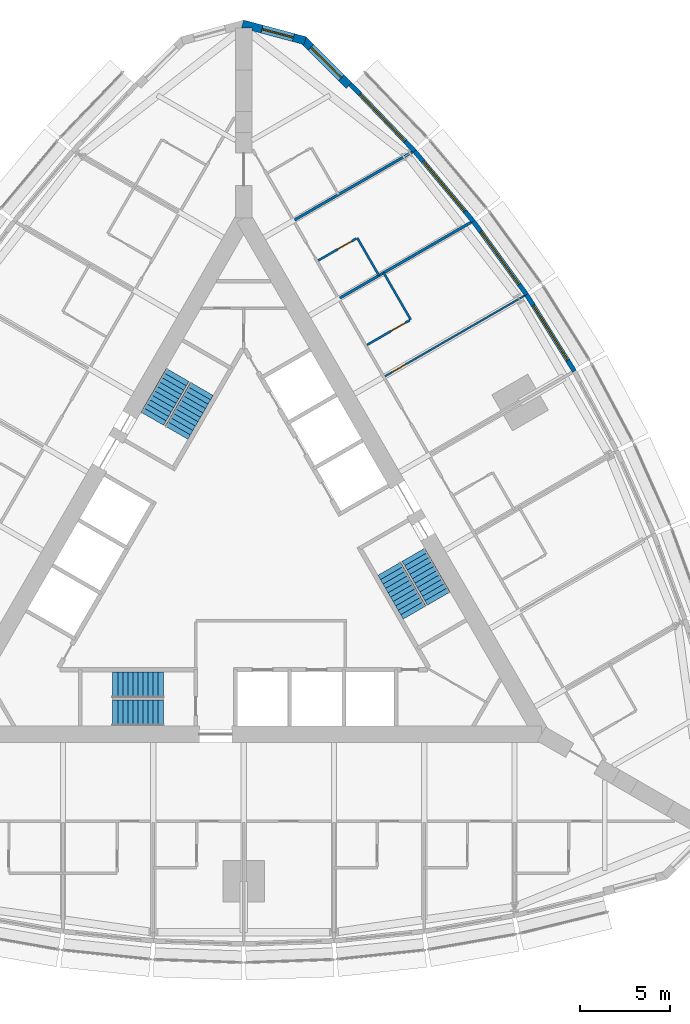
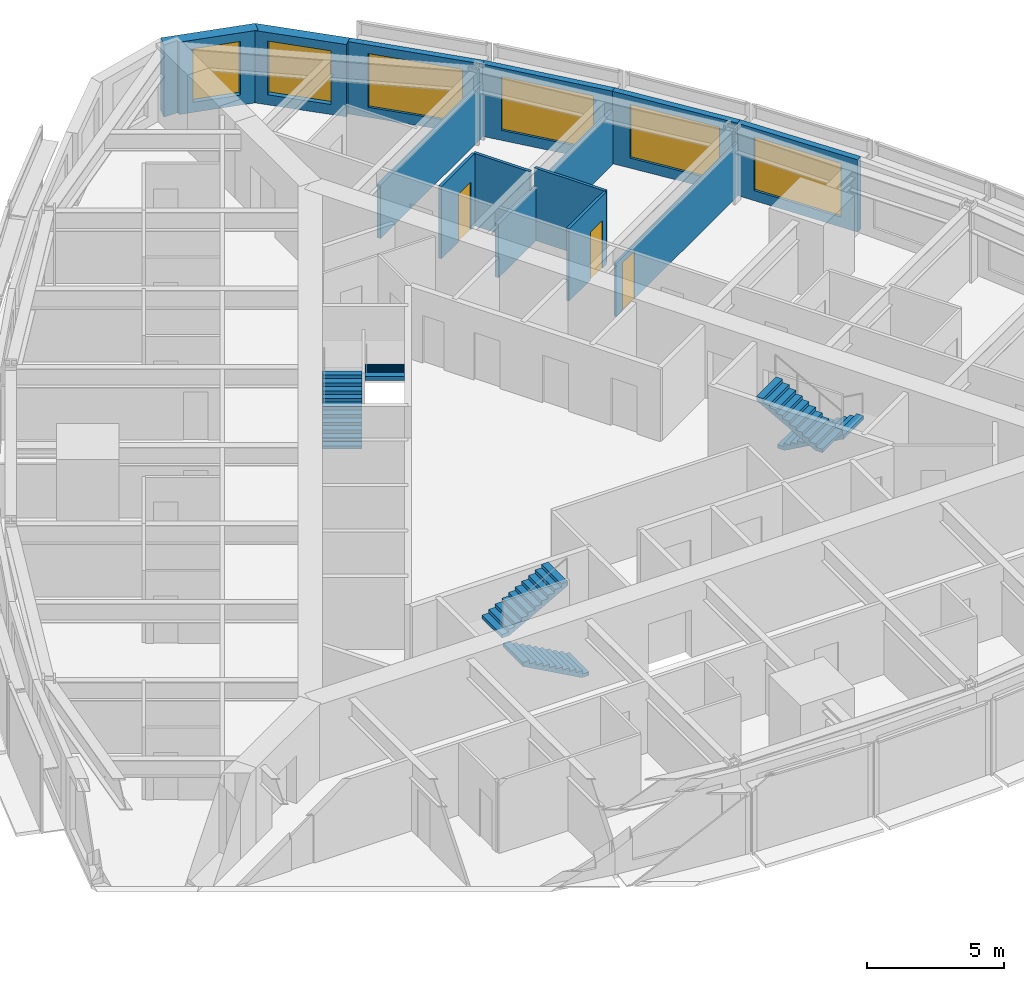
# One storey, part 13 of 14: 13 walls, 6 stair flights, 6 windows, 3 doors, 9 openings, 3 elements without a shape of their own.
"""IFC4 building model written with IfcOpenShell, lengths in metres."""

from ifc_helpers import new_model, si_unit, direction, frame, frame_2d, origin, place, context, subcontext, project, spatial, polyline, rectangle, outline, extrude, material, layer, layer_set, type_object, element, fill, aggregate, save


model = new_model("IFC4")

# Units and contexts
model_context = context("Model", 3, precision=1e-05, world=origin(), true_north=direction((0.0, 1.0)))
body_context = subcontext(model_context, "Body", "Model", "MODEL_VIEW")
ifc_project = project(units=[si_unit("LENGTHUNIT", "METRE"), si_unit("AREAUNIT", "SQUARE_METRE"), si_unit("VOLUMEUNIT", "CUBIC_METRE"), si_unit("PLANEANGLEUNIT", "RADIAN"), si_unit("MASSUNIT", "GRAM", prefix="KILO")], contexts=[model_context])

# Site, building, storey
site_placement = place(None, origin())
site = spatial("IfcSite", under=ifc_project, at=site_placement, CompositionType="ELEMENT")
building_placement = place(site_placement, origin())
building = spatial("IfcBuilding", under=site, at=building_placement, Name="Trikona Tower", CompositionType="ELEMENT")
storey_placement = place(building_placement, frame((0.0, 0.0, 152.10009765625)))
storey = spatial("IfcBuildingStorey", under=building, at=storey_placement, Name="L40", CompositionType="ELEMENT", Elevation=152.10009765625)

# Wall
ifc_material_1 = material(Name="Metal stud and cement board", Category="gypsum")
ifc_layer_1 = layer(ifc_material_1, 0.1201171875)
ifc_layer_set_1 = layer_set([ifc_layer_1], Name="Bathroom wall 120")
wall_type_1 = type_object("IfcWallType", Name="Bathroom wall 120", PredefinedType="PLUMBINGWALL", material=ifc_layer_set_1)
wall_1_placement = place(storey_placement, frame((9.25341796875, 13.42529296875, 0.0), z_axis=(0.0, 0.0, 1.0), x_axis=(-0.499990139034, 0.866031096941, 0.0)))
element("IfcWall", 1, at=wall_1_placement, inside=storey, type_object=wall_type_1, Name="Bathroom wall 4010.1", PredefinedType="PLUMBINGWALL", context=body_context, shape_type="SweptSolid", body=[
    extrude(rectangle(XDim=3.0, YDim=0.1201171875, at=frame_2d((1.5, 0.0))), origin(), (0.0, 0.0, 1.0), 3.23486328125),
])

# Wall, opening, door
wall_2_placement = place(storey_placement, frame((6.82861328125, 12.025390625, 0.0), z_axis=(0.0, 0.0, 1.0), x_axis=(0.866035715982, 0.499982138324, 0.0)))
wall_2 = element("IfcWall", 2, at=wall_2_placement, inside=storey, type_object=wall_type_1, Name="Bathroom wall 4010.1", PredefinedType="PLUMBINGWALL", context=body_context, shape_type="SweptSolid", body=[
    extrude(rectangle(XDim=2.73974609375, YDim=0.1201171875, at=frame_2d((1.369873046875, 0.0))), origin(), (0.0, 0.0, 1.0), 3.23486328125),
])
opening_1_placement = place(wall_2_placement, frame((1.550048828125, 0.0, 0.0)))
opening_1 = element("IfcOpeningElement", 3, at=opening_1_placement, cuts=wall_2, Name="Opening D2", PredefinedType="OPENING", context=body_context, shape_type="SweptSolid", body=[
    extrude(rectangle(XDim=0.89990234375, YDim=2.1298828125, at=frame_2d((0.449951171875, 1.06494140625))), frame((0.0, 0.070068359375, 0.0), z_axis=(0.0, -1.0, 0.0), x_axis=(1.0, 0.0, 0.0)), (0.0, 0.0, 1.0), 0.14013671875),
])
ifc_material_2 = material(Name="Steel door frame with solid-core timber leaf", Category="steel")
door_type_1 = type_object("IfcDoorType", Name="Bathroom door 900x2130", OperationType="SLIDING_TO_LEFT", PredefinedType="DOOR", material=ifc_material_2)
door_1_placement = place(opening_1_placement, origin())
door_1 = element("IfcDoor", 4, at=door_1_placement, inside=storey, type_object=door_type_1, Name="Bathroom door 4010.1", OperationType="SLIDING_TO_LEFT", OverallHeight=2.1298828125, OverallWidth=0.89990234375, PredefinedType="DOOR", context=body_context, shape_type="SweptSolid", body=[
    extrude(rectangle(XDim=0.89990234375, YDim=2.1298828125, at=frame_2d((0.449951171875, 1.06494140625))), frame((0.0, 0.02490234375, 0.0), z_axis=(0.0, -1.0, 0.0), x_axis=(1.0, 0.0, 0.0)), (0.0, 0.0, 1.0), 0.050048828125),
])
fill(opening_1, door_1)

# Wall
wall_3_placement = place(storey_placement, frame((7.493408203125, 15.873291015625, 0.0), z_axis=(0.0, 0.0, 1.0), x_axis=(-0.499957262057, 0.866050077142, 0.0)))
element("IfcWall", 5, at=wall_3_placement, inside=storey, type_object=wall_type_1, Name="Bathroom wall 4011", PredefinedType="PLUMBINGWALL", context=body_context, shape_type="SweptSolid", body=[
    extrude(rectangle(XDim=2.400146484375, YDim=0.1201171875, at=frame_2d((1.2001953125, 0.0))), origin(), (0.0, 0.0, 1.0), 3.23486328125),
])

# Wall, opening, door
wall_4_placement = place(storey_placement, frame((4.12841796875, 16.701904296875, 0.0), z_axis=(0.0, 0.0, 1.0), x_axis=(0.866048967903, 0.499959183527, 0.0)))
wall_4 = element("IfcWall", 6, at=wall_4_placement, inside=storey, type_object=wall_type_1, Name="Bathroom wall 4011", PredefinedType="PLUMBINGWALL", context=body_context, shape_type="SweptSolid", body=[
    extrude(rectangle(XDim=2.440185546875, YDim=0.1201171875, at=frame_2d((1.22021484375, 0.0))), origin(), (0.0, 0.0, 1.0), 3.23486328125),
])
opening_2_placement = place(wall_4_placement, frame((1.25, 0.0, 0.0)))
opening_2 = element("IfcOpeningElement", 7, at=opening_2_placement, cuts=wall_4, Name="Opening D2", PredefinedType="OPENING", context=body_context, shape_type="SweptSolid", body=[
    extrude(rectangle(XDim=0.89990234375, YDim=2.1298828125, at=frame_2d((0.449951171875, 1.06494140625))), frame((0.0, 0.070068359375, 0.0), z_axis=(0.0, -1.0, 0.0), x_axis=(1.0, 0.0, 0.0)), (0.0, 0.0, 1.0), 0.14013671875),
])
door_2_placement = place(opening_2_placement, origin())
door_2 = element("IfcDoor", 8, at=door_2_placement, inside=storey, type_object=door_type_1, Name="Bathroom door 4011", OperationType="SLIDING_TO_LEFT", OverallHeight=2.1298828125, OverallWidth=0.89990234375, PredefinedType="DOOR", context=body_context, shape_type="SweptSolid", body=[
    extrude(rectangle(XDim=0.89990234375, YDim=2.1298828125, at=frame_2d((0.449951171875, 1.06494140625))), frame((0.0, 0.02490234375, 0.0), z_axis=(0.0, -1.0, 0.0), x_axis=(1.0, 0.0, 0.0)), (0.0, 0.0, 1.0), 0.050048828125),
])
fill(opening_2, door_2)

# Wall, opening, window
ifc_material_3 = material(Name="Brick-faced precast concrete", Category="masonry")
ifc_layer_2 = layer(ifc_material_3, 0.449951171875)
ifc_layer_set_2 = layer_set([ifc_layer_2], Name="Brick-faced corner wall 450")
wall_type_2 = type_object("IfcWallType", Name="Brick-faced corner wall 450", PredefinedType="SOLIDWALL", material=ifc_layer_set_2)
wall_5_placement = place(storey_placement, frame((5.8408203125, 26.39892578125, 0.0), z_axis=(0.0, 0.0, 1.0), x_axis=(-0.707106781187, 0.707106781187, 0.0)))
wall_5 = element("IfcWall", 9, at=wall_5_placement, inside=storey, type_object=wall_type_2, Name="External wall L40-20", PredefinedType="SOLIDWALL", context=body_context, shape_type="SweptSolid", body=[
    extrude(rectangle(XDim=3.586181640625, YDim=0.449951171875, at=frame_2d((1.79296875, 0.0))), origin(), (0.0, 0.0, 1.0), 3.23486328125),
])
opening_3_placement = place(wall_5_placement, frame((0.59326171875, 0.0, 0.449951171875)))
opening_3 = element("IfcOpeningElement", 10, at=opening_3_placement, cuts=wall_5, Name="Opening W2424", PredefinedType="OPENING", context=body_context, shape_type="SweptSolid", body=[
    extrude(rectangle(XDim=2.39990234375, YDim=2.39990234375, at=frame_2d((1.199951171875, 1.199951171875))), frame((0.0, 0.23486328125, 0.0), z_axis=(0.0, -1.0, 0.0), x_axis=(1.0, 0.0, 0.0)), (0.0, 0.0, 1.0), 0.469970703125),
])
ifc_material_4 = material(Name="Aluminium-framed double glazing", Category="aluminium")
window_type_1 = type_object("IfcWindowType", Name="Window 2400x2400", PartitioningType="SINGLE_PANEL", PredefinedType="WINDOW", material=ifc_material_4)
window_1_placement = place(opening_3_placement, origin())
window_1 = element("IfcWindow", 11, at=window_1_placement, inside=storey, type_object=window_type_1, Name="Window 4012", OverallHeight=2.39990234375, OverallWidth=2.39990234375, PartitioningType="SINGLE_PANEL", PredefinedType="WINDOW", context=body_context, shape_type="SweptSolid", body=[
    extrude(rectangle(XDim=2.39990234375, YDim=2.39990234375, at=frame_2d((1.199951171875, 1.199951171875))), frame((0.0, 0.030029296875, 0.0), z_axis=(0.0, -1.0, 0.0), x_axis=(1.0, 0.0, 0.0)), (0.0, 0.0, 1.0), 0.06005859375),
])
fill(opening_3, window_1)

wall_6_placement = place(storey_placement, frame((3.406005859375, 28.876708984375, 0.0), z_axis=(0.0, 0.0, 1.0), x_axis=(-0.965924653531, 0.258823421857, 0.0)))
wall_6 = element("IfcWall", 12, at=wall_6_placement, inside=storey, type_object=wall_type_2, Name="External wall L40-21", PredefinedType="SOLIDWALL", context=body_context, shape_type="SweptSolid", body=[
    extrude(outline(polyline([(3.58642578125, 0.22509765625), (3.526611328125, 0.22509765625), (3.035400390625, 0.09326171875), (3.0, 0.22509765625), (0.0, 0.22509765625), (0.0, -0.22509765625), (3.58642578125, -0.22509765625), (3.58642578125, 0.22509765625)])), origin(), (0.0, 0.0, 1.0), 3.23486328125),
])
opening_4_placement = place(wall_6_placement, frame((0.6748046875, 0.0, 0.449951171875)))
opening_4 = element("IfcOpeningElement", 13, at=opening_4_placement, cuts=wall_6, Name="Opening W1824", PredefinedType="OPENING", context=body_context, shape_type="SweptSolid", body=[
    extrude(rectangle(XDim=1.800048828125, YDim=2.39990234375, at=frame_2d((0.89990234375, 1.199951171875))), frame((0.0, 0.23486328125, 0.0), z_axis=(0.0, -1.0, 0.0), x_axis=(1.0, 0.0, 0.0)), (0.0, 0.0, 1.0), 0.469970703125),
])
ifc_material_5 = material(Name="Aluminium-framed double glazing", Category="aluminium")
window_type_2 = type_object("IfcWindowType", Name="Window 1800x2400", PartitioningType="SINGLE_PANEL", PredefinedType="WINDOW", material=ifc_material_5)
window_2_placement = place(opening_4_placement, origin())
window_2 = element("IfcWindow", 14, at=window_2_placement, inside=storey, type_object=window_type_2, Name="Window 4012", OverallHeight=2.39990234375, OverallWidth=1.800048828125, PartitioningType="SINGLE_PANEL", PredefinedType="WINDOW", context=body_context, shape_type="SweptSolid", body=[
    extrude(rectangle(XDim=1.800048828125, YDim=2.39990234375, at=frame_2d((0.89990234375, 1.199951171875))), frame((0.0, 0.030029296875, 0.0), z_axis=(0.0, -1.0, 0.0), x_axis=(1.0, 0.0, 0.0)), (0.0, 0.0, 1.0), 0.06005859375),
])
fill(opening_4, window_2)

ifc_material_6 = material(Name="Insulated precast concrete spandrel panel", Category="concrete")
ifc_layer_3 = layer(ifc_material_6, 0.25)
ifc_layer_set_3 = layer_set([ifc_layer_3], Name="Inner skin wall 250")
wall_type_3 = type_object("IfcWallType", Name="Inner skin wall 250", PredefinedType="STANDARD", material=ifc_layer_set_3)
wall_7_placement = place(storey_placement, frame((18.31884765625, 10.5712890625, 0.0), z_axis=(0.0, 0.0, 1.0), x_axis=(-0.529990167382, 0.84800378683, 0.0)))
wall_7 = element("IfcWall", 15, at=wall_7_placement, inside=storey, type_object=wall_type_3, Name="External wall L40-16", PredefinedType="STANDARD", context=body_context, shape_type="SweptSolid", body=[
    extrude(rectangle(XDim=5.003173828125, YDim=0.25, at=frame_2d((2.50146484375, 0.0))), origin(), (0.0, 0.0, 1.0), 3.23486328125),
])
opening_5_placement = place(wall_7_placement, frame((0.701416015625, 0.0, 0.449951171875)))
opening_5 = element("IfcOpeningElement", 16, at=opening_5_placement, cuts=wall_7, Name="Opening W3624", PredefinedType="OPENING", context=body_context, shape_type="SweptSolid", body=[
    extrude(rectangle(XDim=3.60009765625, YDim=2.39990234375, at=frame_2d((1.800048828125, 1.199951171875))), frame((0.0, 0.135009765625, 0.0), z_axis=(0.0, -1.0, 0.0), x_axis=(1.0, 0.0, 0.0)), (0.0, 0.0, 1.0), 0.27001953125),
])
ifc_material_7 = material(Name="Aluminium-framed double glazing", Category="aluminium")
window_type_3 = type_object("IfcWindowType", Name="Window 3600x2400", PartitioningType="SINGLE_PANEL", PredefinedType="WINDOW", material=ifc_material_7)
window_3_placement = place(opening_5_placement, origin())
window_3 = element("IfcWindow", 17, at=window_3_placement, inside=storey, type_object=window_type_3, Name="Window 4010", OverallHeight=2.39990234375, OverallWidth=3.60009765625, PartitioningType="SINGLE_PANEL", PredefinedType="WINDOW", context=body_context, shape_type="SweptSolid", body=[
    extrude(rectangle(XDim=3.60009765625, YDim=2.39990234375, at=frame_2d((1.800048828125, 1.199951171875))), frame((0.0, 0.030029296875, 0.0), z_axis=(0.0, -1.0, 0.0), x_axis=(1.0, 0.0, 0.0)), (0.0, 0.0, 1.0), 0.06005859375),
])
fill(opening_5, window_3)

wall_8_placement = place(storey_placement, frame((15.672119140625, 14.806640625, 0.0), z_axis=(0.0, 0.0, 1.0), x_axis=(-0.587669188412, 0.809101307001, 0.0)))
wall_8 = element("IfcWall", 18, at=wall_8_placement, inside=storey, type_object=wall_type_3, Name="External wall L40-17", PredefinedType="STANDARD", context=body_context, shape_type="SweptSolid", body=[
    extrude(rectangle(XDim=5.027587890625, YDim=0.25, at=frame_2d((2.513671875, 0.0))), origin(), (0.0, 0.0, 1.0), 3.23486328125),
])
opening_6_placement = place(wall_8_placement, frame((0.7138671875, 0.0, 0.449951171875)))
opening_6 = element("IfcOpeningElement", 19, at=opening_6_placement, cuts=wall_8, Name="Opening W3624", PredefinedType="OPENING", context=body_context, shape_type="SweptSolid", body=[
    extrude(rectangle(XDim=3.60009765625, YDim=2.39990234375, at=frame_2d((1.800048828125, 1.199951171875))), frame((0.0, 0.135009765625, 0.0), z_axis=(0.0, -1.0, 0.0), x_axis=(1.0, 0.0, 0.0)), (0.0, 0.0, 1.0), 0.27001953125),
])
window_4_placement = place(opening_6_placement, origin())
window_4 = element("IfcWindow", 20, at=window_4_placement, inside=storey, type_object=window_type_3, Name="Window 4010.1", OverallHeight=2.39990234375, OverallWidth=3.60009765625, PartitioningType="SINGLE_PANEL", PredefinedType="WINDOW", context=body_context, shape_type="SweptSolid", body=[
    extrude(rectangle(XDim=3.60009765625, YDim=2.39990234375, at=frame_2d((1.800048828125, 1.199951171875))), frame((0.0, 0.030029296875, 0.0), z_axis=(0.0, -1.0, 0.0), x_axis=(1.0, 0.0, 0.0)), (0.0, 0.0, 1.0), 0.06005859375),
])
fill(opening_6, window_4)

wall_9_placement = place(storey_placement, frame((12.722900390625, 18.86767578125, 0.0), z_axis=(0.0, 0.0, 1.0), x_axis=(-0.641810386606, 0.766863369607, 0.0)))
wall_9 = element("IfcWall", 21, at=wall_9_placement, inside=storey, type_object=wall_type_3, Name="External wall L40-18", PredefinedType="STANDARD", context=body_context, shape_type="SweptSolid", body=[
    extrude(rectangle(XDim=5.075927734375, YDim=0.25, at=frame_2d((2.5380859375, 0.0))), origin(), (0.0, 0.0, 1.0), 3.23486328125),
])
opening_7_placement = place(wall_9_placement, frame((0.738037109375, 0.0, 0.449951171875)))
opening_7 = element("IfcOpeningElement", 22, at=opening_7_placement, cuts=wall_9, Name="Opening W3624", PredefinedType="OPENING", context=body_context, shape_type="SweptSolid", body=[
    extrude(rectangle(XDim=3.60009765625, YDim=2.39990234375, at=frame_2d((1.800048828125, 1.199951171875))), frame((0.0, 0.135009765625, 0.0), z_axis=(0.0, -1.0, 0.0), x_axis=(1.0, 0.0, 0.0)), (0.0, 0.0, 1.0), 0.27001953125),
])
window_5_placement = place(opening_7_placement, origin())
window_5 = element("IfcWindow", 23, at=window_5_placement, inside=storey, type_object=window_type_3, Name="Window 4011", OverallHeight=2.39990234375, OverallWidth=3.60009765625, PartitioningType="SINGLE_PANEL", PredefinedType="WINDOW", context=body_context, shape_type="SweptSolid", body=[
    extrude(rectangle(XDim=3.60009765625, YDim=2.39990234375, at=frame_2d((1.800048828125, 1.199951171875))), frame((0.0, 0.030029296875, 0.0), z_axis=(0.0, -1.0, 0.0), x_axis=(1.0, 0.0, 0.0)), (0.0, 0.0, 1.0), 0.06005859375),
])
fill(opening_7, window_5)

wall_10_placement = place(storey_placement, frame((9.470703125, 22.75390625, 0.0), z_axis=(0.0, 0.0, 1.0), x_axis=(-0.691719937936, 0.722165858693, 0.0)))
wall_10 = element("IfcWall", 24, at=wall_10_placement, inside=storey, type_object=wall_type_3, Name="External wall L40-19", PredefinedType="STANDARD", context=body_context, shape_type="SweptSolid", body=[
    extrude(rectangle(XDim=5.148193359375, YDim=0.25, at=frame_2d((2.57421875, 0.0))), origin(), (0.0, 0.0, 1.0), 3.23486328125),
])
opening_8_placement = place(wall_10_placement, frame((0.77392578125, 0.0, 0.449951171875)))
opening_8 = element("IfcOpeningElement", 25, at=opening_8_placement, cuts=wall_10, Name="Opening W3624", PredefinedType="OPENING", context=body_context, shape_type="SweptSolid", body=[
    extrude(rectangle(XDim=3.60009765625, YDim=2.39990234375, at=frame_2d((1.800048828125, 1.199951171875))), frame((0.0, 0.135009765625, 0.0), z_axis=(0.0, -1.0, 0.0), x_axis=(1.0, 0.0, 0.0)), (0.0, 0.0, 1.0), 0.27001953125),
])
window_6_placement = place(opening_8_placement, origin())
window_6 = element("IfcWindow", 26, at=window_6_placement, inside=storey, type_object=window_type_3, Name="Window 4012", OverallHeight=2.39990234375, OverallWidth=3.60009765625, PartitioningType="SINGLE_PANEL", PredefinedType="WINDOW", context=body_context, shape_type="SweptSolid", body=[
    extrude(rectangle(XDim=3.60009765625, YDim=2.39990234375, at=frame_2d((1.800048828125, 1.199951171875))), frame((0.0, 0.030029296875, 0.0), z_axis=(0.0, -1.0, 0.0), x_axis=(1.0, 0.0, 0.0)), (0.0, 0.0, 1.0), 0.06005859375),
])
fill(opening_8, window_6)

# Walls
ifc_material_8 = material(Name="Metal stud and gypsum board, 1-hour acoustic", Category="gypsum")
ifc_layer_4 = layer(ifc_material_8, 0.14990234375)
ifc_layer_set_4 = layer_set([ifc_layer_4], Name="Party wall 150")
wall_type_4 = type_object("IfcWallType", Name="Party wall 150", PredefinedType="PARTITIONING", material=ifc_layer_set_4)
wall_11_placement = place(storey_placement, frame((5.32861328125, 14.623291015625, 0.0), z_axis=(0.0, 0.0, 1.0), x_axis=(0.866011723728, 0.500023693804, 0.0)))
element("IfcWall", 27, at=wall_11_placement, inside=storey, type_object=wall_type_4, Name="Partition L40 F2 u10", PredefinedType="PARTITIONING", context=body_context, shape_type="SweptSolid", body=[
    extrude(rectangle(XDim=8.39501953125, YDim=0.14990234375, at=frame_2d((4.197509765625, 0.0))), origin(), (0.0, 0.0, 1.0), 2.38916015625),
])
wall_12_placement = place(storey_placement, frame((2.82861328125, 18.95361328125, 0.0), z_axis=(0.0, 0.0, 1.0), x_axis=(0.866015739374, 0.500016738876, 0.0)))
element("IfcWall", 28, at=wall_12_placement, inside=storey, type_object=wall_type_4, Name="Partition L40 F2 u15", PredefinedType="PARTITIONING", context=body_context, shape_type="SweptSolid", body=[
    extrude(rectangle(XDim=7.516357421875, YDim=0.14990234375, at=frame_2d((3.75830078125, 0.0))), origin(), (0.0, 0.0, 1.0), 2.38916015625),
])

# Wall, opening, door
ifc_material_9 = material(Name="Metal stud and gypsum board, acoustic", Category="gypsum")
ifc_layer_5 = layer(ifc_material_9, 0.10009765625)
ifc_layer_set_5 = layer_set([ifc_layer_5], Name="Suite partition 100")
wall_type_5 = type_object("IfcWallType", Name="Suite partition 100", PredefinedType="PARTITIONING", material=ifc_layer_set_5)
wall_13_placement = place(storey_placement, frame((7.82861328125, 10.293212890625, 0.0), z_axis=(0.0, 0.0, 1.0), x_axis=(0.866027015393, 0.499997208602, 0.0)))
wall_13 = element("IfcWall", 29, at=wall_13_placement, inside=storey, type_object=wall_type_5, Name="Suite partition L40 F2 u5", PredefinedType="PARTITIONING", context=body_context, shape_type="SweptSolid", body=[
    extrude(rectangle(XDim=8.92236328125, YDim=0.10009765625, at=frame_2d((4.461181640625, 0.0))), origin(), (0.0, 0.0, 1.0), 2.38916015625),
])
opening_9_placement = place(wall_13_placement, frame((0.449951171875, 0.0, 0.0)))
opening_9 = element("IfcOpeningElement", 30, at=opening_9_placement, cuts=wall_13, Name="Opening D13", PredefinedType="OPENING", context=body_context, shape_type="SweptSolid", body=[
    extrude(rectangle(XDim=0.89990234375, YDim=2.1298828125, at=frame_2d((0.449951171875, 1.06494140625))), frame((0.0, 0.06005859375, 0.0), z_axis=(0.0, -1.0, 0.0), x_axis=(1.0, 0.0, 0.0)), (0.0, 0.0, 1.0), 0.1201171875),
])
ifc_material_10 = material(Name="Steel door frame with solid-core timber leaf", Category="steel")
door_type_2 = type_object("IfcDoorType", Name="Suite door 900x2130", OperationType="SINGLE_SWING_LEFT", PredefinedType="DOOR", material=ifc_material_10)
door_3_placement = place(opening_9_placement, origin())
door_3 = element("IfcDoor", 31, at=door_3_placement, inside=storey, type_object=door_type_2, Name="Suite door 4010", OperationType="SINGLE_SWING_LEFT", OverallHeight=2.1298828125, OverallWidth=0.89990234375, PredefinedType="DOOR", context=body_context, shape_type="SweptSolid", body=[
    extrude(rectangle(XDim=0.89990234375, YDim=2.1298828125, at=frame_2d((0.449951171875, 1.06494140625))), frame((0.0, 0.02490234375, 0.0), z_axis=(0.0, -1.0, 0.0), x_axis=(1.0, 0.0, 0.0)), (0.0, 0.0, 1.0), 0.050048828125),
])
fill(opening_9, door_3)

# Stair, stair flights
ifc_material_11 = material(Name="Concrete f'c 5000 psi", Category="concrete")
stair_type = type_object("IfcStairType", Name="Core stair", PredefinedType="HALF_TURN_STAIR", material=ifc_material_11)
stair_1_placement = place(storey_placement, origin())
stair_1 = element("IfcStair", 32, at=stair_1_placement, inside=storey, type_object=stair_type, Name="Stair A L40", PredefinedType="HALF_TURN_STAIR")
ifc_material_12 = material(Name="Concrete f'c 5000 psi", Category="concrete")
stair_flight_type = type_object("IfcStairFlightType", Name="Core stair flight 1450", PredefinedType="STRAIGHT", material=ifc_material_12)
stair_flight_1_placement = place(storey_placement, frame((-4.449951171875, -8.351318359375, 0.0), z_axis=(0.0, 0.0, 1.0), x_axis=(-1.0, 0.0, 0.0)))
stair_flight_1 = element("IfcStairFlight", 33, at=stair_flight_1_placement, type_object=stair_flight_type, Name="ST-A flight 1", NumberOfRisers=11, NumberOfTreads=10, PredefinedType="STRAIGHT", RiserHeight=0.154545, TreadLength=0.28, context=body_context, shape_type="SweptSolid", body=[
    extrude(outline(polyline([(0.0, 0.0), (0.0, 0.154541015625), (0.280029296875, 0.154541015625), (0.280029296875, 0.30908203125), (0.56005859375, 0.30908203125), (0.56005859375, 0.463623046875), (0.840087890625, 0.463623046875), (0.840087890625, 0.6181640625), (1.1201171875, 0.6181640625), (1.1201171875, 0.772705078125), (1.39990234375, 0.772705078125), (1.39990234375, 0.92724609375), (1.679931640625, 0.92724609375), (1.679931640625, 1.081787109375), (1.9599609375, 1.081787109375), (1.9599609375, 1.236328125), (2.239990234375, 1.236328125), (2.239990234375, 1.390869140625), (2.52001953125, 1.390869140625), (2.52001953125, 1.54541015625), (2.800048828125, 1.54541015625), (2.800048828125, 1.699951171875), (2.800048828125, 1.374267578125), (0.310302734375, 0.0), (0.0, 0.0)])), frame((0.0, 0.72509765625, 0.0), z_axis=(0.0, -1.0, 0.0), x_axis=(1.0, 0.0, 0.0)), (0.0, 0.0, 1.0), 1.449951171875),
])
stair_flight_2_placement = place(storey_placement, frame((-7.25, -6.80126953125, 1.699951171875), z_axis=(0.0, 0.0, 1.0), x_axis=(1.0, 0.0, 0.0)))
stair_flight_2 = element("IfcStairFlight", 34, at=stair_flight_2_placement, type_object=stair_flight_type, Name="ST-A flight 2", NumberOfRisers=11, NumberOfTreads=10, PredefinedType="STRAIGHT", RiserHeight=0.154545, TreadLength=0.28, context=body_context, shape_type="SweptSolid", body=[
    extrude(outline(polyline([(0.0, 0.0), (0.0, 0.154541015625), (0.280029296875, 0.154541015625), (0.280029296875, 0.30908203125), (0.56005859375, 0.30908203125), (0.56005859375, 0.463623046875), (0.840087890625, 0.463623046875), (0.840087890625, 0.6181640625), (1.1201171875, 0.6181640625), (1.1201171875, 0.772705078125), (1.39990234375, 0.772705078125), (1.39990234375, 0.92724609375), (1.679931640625, 0.92724609375), (1.679931640625, 1.081787109375), (1.9599609375, 1.081787109375), (1.9599609375, 1.236328125), (2.239990234375, 1.236328125), (2.239990234375, 1.390869140625), (2.52001953125, 1.390869140625), (2.52001953125, 1.54541015625), (2.800048828125, 1.54541015625), (2.800048828125, 1.699951171875), (2.800048828125, 1.374267578125), (0.310302734375, 0.0), (0.0, 0.0)])), frame((0.0, 0.72509765625, 0.0), z_axis=(0.0, -1.0, 0.0), x_axis=(1.0, 0.0, 0.0)), (0.0, 0.0, 1.0), 1.449951171875),
])
aggregate(stair_1, [stair_flight_1, stair_flight_2])

stair_2_placement = place(storey_placement, origin())
stair_2 = element("IfcStair", 35, at=stair_2_placement, inside=storey, type_object=stair_type, Name="Stair B L40", PredefinedType="HALF_TURN_STAIR")
stair_flight_3_placement = place(storey_placement, frame((9.407470703125, 0.408447265625, 0.0), z_axis=(0.0, 0.0, 1.0), x_axis=(0.5, -0.866025403784, 0.0)))
stair_flight_3 = element("IfcStairFlight", 36, at=stair_flight_3_placement, type_object=stair_flight_type, Name="ST-B flight 1", NumberOfRisers=11, NumberOfTreads=10, PredefinedType="STRAIGHT", RiserHeight=0.154545, TreadLength=0.28, context=body_context, shape_type="SweptSolid", body=[
    extrude(outline(polyline([(0.0, 0.0), (0.0, 0.154541015625), (0.280029296875, 0.154541015625), (0.280029296875, 0.30908203125), (0.56005859375, 0.30908203125), (0.56005859375, 0.463623046875), (0.840087890625, 0.463623046875), (0.840087890625, 0.6181640625), (1.1201171875, 0.6181640625), (1.1201171875, 0.772705078125), (1.39990234375, 0.772705078125), (1.39990234375, 0.92724609375), (1.679931640625, 0.92724609375), (1.679931640625, 1.081787109375), (1.9599609375, 1.081787109375), (1.9599609375, 1.236328125), (2.239990234375, 1.236328125), (2.239990234375, 1.390869140625), (2.52001953125, 1.390869140625), (2.52001953125, 1.54541015625), (2.800048828125, 1.54541015625), (2.800048828125, 1.699951171875), (2.800048828125, 1.374267578125), (0.310302734375, 0.0), (0.0, 0.0)])), frame((0.0, 0.72509765625, 0.0), z_axis=(0.0, -1.0, 0.0), x_axis=(1.0, 0.0, 0.0)), (0.0, 0.0, 1.0), 1.449951171875),
])
stair_flight_4_placement = place(storey_placement, frame((9.465087890625, -2.79150390625, 1.699951171875), z_axis=(0.0, 0.0, 1.0), x_axis=(-0.5, 0.866025403784, 0.0)))
stair_flight_4 = element("IfcStairFlight", 37, at=stair_flight_4_placement, type_object=stair_flight_type, Name="ST-B flight 2", NumberOfRisers=11, NumberOfTreads=10, PredefinedType="STRAIGHT", RiserHeight=0.154545, TreadLength=0.28, context=body_context, shape_type="SweptSolid", body=[
    extrude(outline(polyline([(0.0, 0.0), (0.0, 0.154541015625), (0.280029296875, 0.154541015625), (0.280029296875, 0.30908203125), (0.56005859375, 0.30908203125), (0.56005859375, 0.463623046875), (0.840087890625, 0.463623046875), (0.840087890625, 0.6181640625), (1.1201171875, 0.6181640625), (1.1201171875, 0.772705078125), (1.39990234375, 0.772705078125), (1.39990234375, 0.92724609375), (1.679931640625, 0.92724609375), (1.679931640625, 1.081787109375), (1.9599609375, 1.081787109375), (1.9599609375, 1.236328125), (2.239990234375, 1.236328125), (2.239990234375, 1.390869140625), (2.52001953125, 1.390869140625), (2.52001953125, 1.54541015625), (2.800048828125, 1.54541015625), (2.800048828125, 1.699951171875), (2.800048828125, 1.374267578125), (0.310302734375, 0.0), (0.0, 0.0)])), frame((0.0, 0.72509765625, 0.0), z_axis=(0.0, -1.0, 0.0), x_axis=(1.0, 0.0, 0.0)), (0.0, 0.0, 1.0), 1.449951171875),
])
aggregate(stair_2, [stair_flight_3, stair_flight_4])

stair_3_placement = place(storey_placement, origin())
stair_3 = element("IfcStair", 38, at=stair_3_placement, inside=storey, type_object=stair_type, Name="Stair C L40", PredefinedType="HALF_TURN_STAIR")
stair_flight_5_placement = place(storey_placement, frame((-5.057373046875, 7.94287109375, 0.0), z_axis=(0.0, 0.0, 1.0), x_axis=(0.5, 0.866025403784, 0.0)))
stair_flight_5 = element("IfcStairFlight", 39, at=stair_flight_5_placement, type_object=stair_flight_type, Name="ST-C flight 1", NumberOfRisers=11, NumberOfTreads=10, PredefinedType="STRAIGHT", RiserHeight=0.154545, TreadLength=0.28, context=body_context, shape_type="SweptSolid", body=[
    extrude(outline(polyline([(0.0, 0.0), (0.0, 0.154541015625), (0.280029296875, 0.154541015625), (0.280029296875, 0.30908203125), (0.56005859375, 0.30908203125), (0.56005859375, 0.463623046875), (0.840087890625, 0.463623046875), (0.840087890625, 0.6181640625), (1.1201171875, 0.6181640625), (1.1201171875, 0.772705078125), (1.39990234375, 0.772705078125), (1.39990234375, 0.92724609375), (1.679931640625, 0.92724609375), (1.679931640625, 1.081787109375), (1.9599609375, 1.081787109375), (1.9599609375, 1.236328125), (2.239990234375, 1.236328125), (2.239990234375, 1.390869140625), (2.52001953125, 1.390869140625), (2.52001953125, 1.54541015625), (2.800048828125, 1.54541015625), (2.800048828125, 1.699951171875), (2.800048828125, 1.374267578125), (0.310302734375, 0.0), (0.0, 0.0)])), frame((0.0, 0.72509765625, 0.0), z_axis=(0.0, -1.0, 0.0), x_axis=(1.0, 0.0, 0.0)), (0.0, 0.0, 1.0), 1.449951171875),
])
stair_flight_6_placement = place(storey_placement, frame((-2.315185546875, 9.5927734375, 1.699951171875), z_axis=(0.0, 0.0, 1.0), x_axis=(-0.5, -0.866025403784, 0.0)))
stair_flight_6 = element("IfcStairFlight", 40, at=stair_flight_6_placement, type_object=stair_flight_type, Name="ST-C flight 2", NumberOfRisers=11, NumberOfTreads=10, PredefinedType="STRAIGHT", RiserHeight=0.154545, TreadLength=0.28, context=body_context, shape_type="SweptSolid", body=[
    extrude(outline(polyline([(0.0, 0.0), (0.0, 0.154541015625), (0.280029296875, 0.154541015625), (0.280029296875, 0.30908203125), (0.56005859375, 0.30908203125), (0.56005859375, 0.463623046875), (0.840087890625, 0.463623046875), (0.840087890625, 0.6181640625), (1.1201171875, 0.6181640625), (1.1201171875, 0.772705078125), (1.39990234375, 0.772705078125), (1.39990234375, 0.92724609375), (1.679931640625, 0.92724609375), (1.679931640625, 1.081787109375), (1.9599609375, 1.081787109375), (1.9599609375, 1.236328125), (2.239990234375, 1.236328125), (2.239990234375, 1.390869140625), (2.52001953125, 1.390869140625), (2.52001953125, 1.54541015625), (2.800048828125, 1.54541015625), (2.800048828125, 1.699951171875), (2.800048828125, 1.374267578125), (0.310302734375, 0.0), (0.0, 0.0)])), frame((0.0, 0.72509765625, 0.0), z_axis=(0.0, -1.0, 0.0), x_axis=(1.0, 0.0, 0.0)), (0.0, 0.0, 1.0), 1.449951171875),
])
aggregate(stair_3, [stair_flight_5, stair_flight_6])

save(model, "model.ifc")
